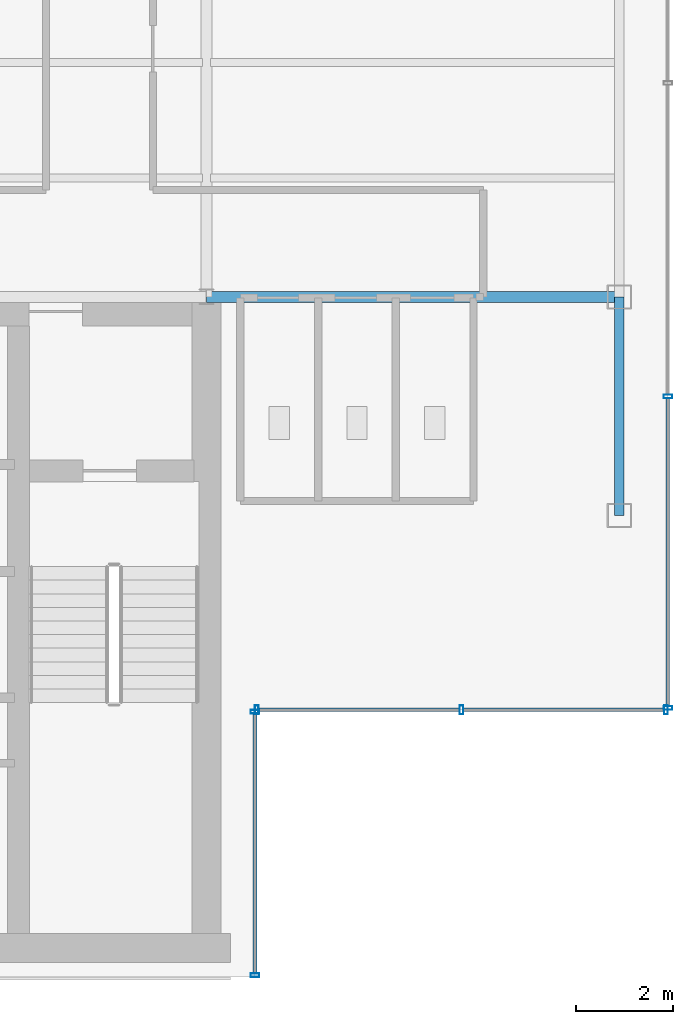
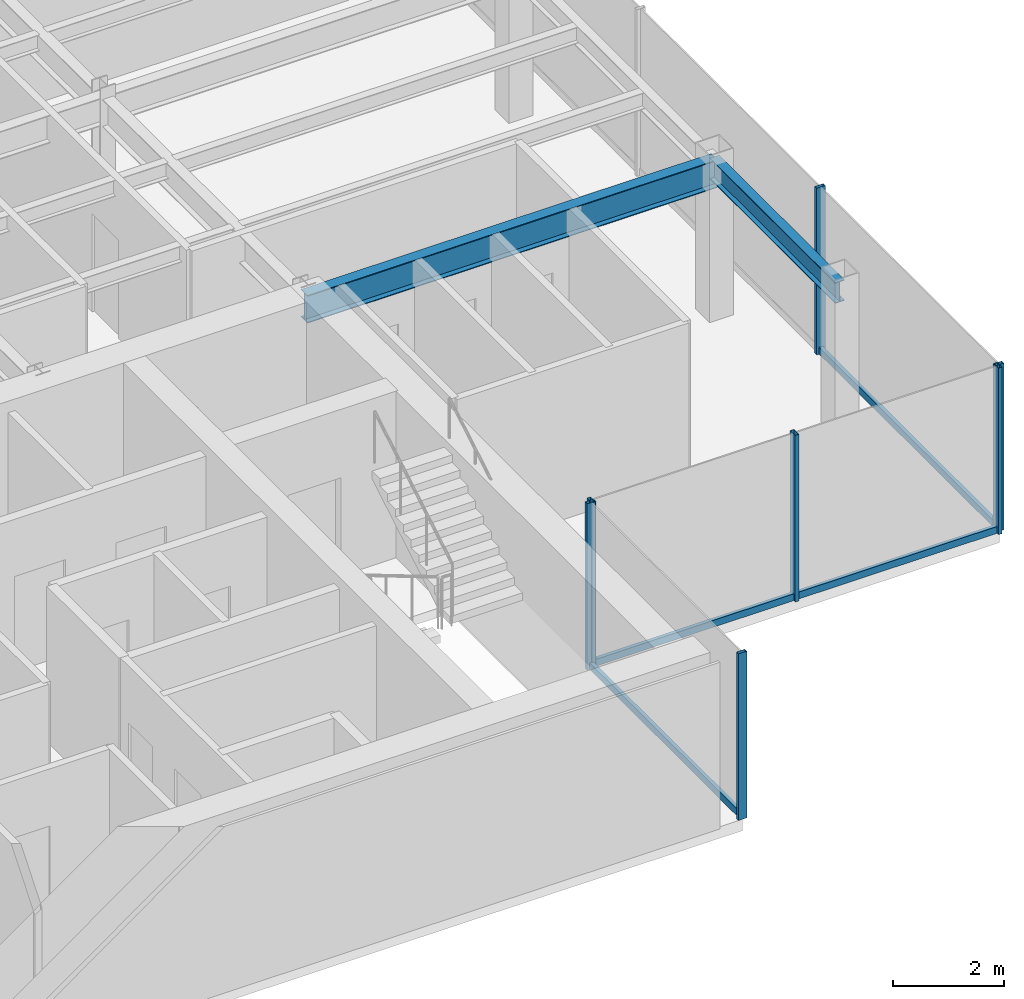
# One storey, part 9 of 22: 11 members, 2 beams, 3 elements without a shape of their own.
"""IFC4 building model written with IfcOpenShell, lengths in metres."""

from ifc_helpers import new_model, si_unit, derived_unit, direction, frame, origin, origin_2d, place, context, subcontext, project, spatial, hollow_rectangle, i_section, extrude, source, transform, mapped, material, material_profile, profile_set, type_object, element, aggregate, save


model = new_model("IFC4")

# Units and contexts
model_context = context("Model", 3, precision=1e-05, world=origin(), true_north=direction((0.0, 1.0)))
body_context = subcontext(model_context, "Body", "Model", "MODEL_VIEW")
ifc_project = project(units=[si_unit("LENGTHUNIT", "METRE"), si_unit("AREAUNIT", "SQUARE_METRE"), si_unit("VOLUMEUNIT", "CUBIC_METRE"), si_unit("PLANEANGLEUNIT", "RADIAN"), si_unit("MASSUNIT", "GRAM", prefix="KILO"), derived_unit("THERMALTRANSMITTANCEUNIT", [(si_unit("POWERUNIT", "WATT"), 1), (si_unit("LENGTHUNIT", "METRE"), -2), (si_unit("THERMODYNAMICTEMPERATUREUNIT", "KELVIN"), -1)])], contexts=[model_context])

# Site, building, storey
site_placement = place(None, origin())
site = spatial("IfcSite", under=ifc_project, at=site_placement, CompositionType="ELEMENT")
building_placement = place(site_placement, origin())
building = spatial("IfcBuilding", under=site, at=building_placement, Name="Skarnbrae Concourse Arena and Tower", CompositionType="ELEMENT")
storey_placement = place(building_placement, frame((0.0, 0.0, 199.550048828125)))
storey = spatial("IfcBuildingStorey", under=building, at=storey_placement, Name="L51", CompositionType="ELEMENT", Elevation=199.550048828125)

# Beams
ifc_material_1 = material(Name="Steel CSA G40.21 350W", Category="steel")
ifc_material_profile_1 = material_profile(ifc_material_1, i_section(OverallWidth=0.22802734375, OverallDepth=0.60791015625, WebThickness=0.01123046875, FlangeThickness=0.017333984375, at=origin_2d()), Name="W610X113")
ifc_profile_set_1 = profile_set([ifc_material_profile_1], Name="Steel CSA G40.21 350W")
beam_type_1 = type_object("IfcBeamType", Name="BM-GIRD-W610X113", PredefinedType="BEAM", material=ifc_profile_set_1)
shared_shape_1 = source(origin(), body_context, "Body", "SweptSolid", [
    extrude(i_section(OverallWidth=0.22802734375, OverallDepth=0.60791015625, WebThickness=0.01123046875, FlangeThickness=0.017333984375, at=origin_2d()), origin(), (0.0, 0.0, 1.0), 8.5),
])
beam_1_placement = place(storey_placement, frame((33.5, 14.0, 3.095947265625), z_axis=(1.0, 0.0, 0.0), x_axis=(0.0, 1.0, 0.0)))
element("IfcBeam", 1, at=beam_1_placement, inside=storey, type_object=beam_type_1, Name="L51 Primary E-W girder Y14.0-6", PredefinedType="BEAM", context=body_context, shape_type="MappedRepresentation", body=[
    mapped(shared_shape_1, transform((0.0, 0.0, 0.0))),
])
ifc_material_profile_2 = material_profile(ifc_material_1, i_section(OverallWidth=0.19091796875, OverallDepth=0.4599609375, WebThickness=0.010009765625, FlangeThickness=0.01611328125, at=origin_2d()), Name="W460X82")
ifc_profile_set_2 = profile_set([ifc_material_profile_2], Name="Steel CSA G40.21 350W")
beam_type_2 = type_object("IfcBeamType", Name="BM-SPAN-W460X82", PredefinedType="SPANDREL", material=ifc_profile_set_2)
shared_shape_2 = source(origin(), body_context, "Body", "SweptSolid", [
    extrude(i_section(OverallWidth=0.19091796875, OverallDepth=0.4599609375, WebThickness=0.010009765625, FlangeThickness=0.01611328125, at=origin_2d()), origin(), (0.0, 0.0, 1.0), 4.5),
])
beam_2_placement = place(storey_placement, frame((42.0, 9.5, 3.169921875), z_axis=(0.0, 1.0, 0.0), x_axis=(-1.0, 0.0, 0.0)))
element("IfcBeam", 2, at=beam_2_placement, inside=storey, type_object=beam_type_2, Name="L51 Perimeter spandrel X42.0-1", PredefinedType="SPANDREL", context=body_context, shape_type="MappedRepresentation", body=[
    mapped(shared_shape_2, transform((0.0, 0.0, 0.0))),
])

# Curtain wall, members
ifc_material_2 = material(Name="Bronze anodised aluminium 6063-T6", Category="aluminium")
curtain_wall_type = type_object("IfcCurtainWallType", Name="CW-SYS-05-HIGHZONE", PredefinedType="USERDEFINED", material=ifc_material_2)
curtain_wall_1_placement = place(storey_placement, origin())
curtain_wall_1 = element("IfcCurtainWall", 3, at=curtain_wall_1_placement, inside=storey, type_object=curtain_wall_type, Name="L51 Unitised curtain wall CW-L51-E02", ObjectType="UNITISED CURTAIN WALL", PredefinedType="USERDEFINED")
ifc_material_profile_3 = material_profile(ifc_material_2, hollow_rectangle(XDim=0.074951171875, YDim=0.179931640625, WallThickness=0.00390625, at=origin_2d()), Name="ALU-MULL-75X180")
ifc_profile_set_3 = profile_set([ifc_material_profile_3], Name="Bronze anodised aluminium 6063-T6")
member_type_1 = type_object("IfcMemberType", Name="CWM-CW-05", PredefinedType="MULLION", material=ifc_profile_set_3)
shared_shape_3 = source(origin(), body_context, "Body", "SweptSolid", [
    extrude(hollow_rectangle(XDim=0.074951171875, YDim=0.179931640625, WallThickness=0.00390625, at=origin_2d()), origin(), (0.0, 0.0, 1.0), 3.64990234375),
])
member_1_placement = place(storey_placement, frame((34.5, 0.03759765625, 0.0), z_axis=(0.0, 0.0, 1.0), x_axis=(0.0, 1.0, 0.0)))
member_1 = element("IfcMember", 4, at=member_1_placement, type_object=member_type_1, Name="CW-L51-E02 Mullion 1", PredefinedType="MULLION", context=body_context, shape_type="MappedRepresentation", body=[
    mapped(shared_shape_3, transform((0.0, 0.0, 0.0))),
])
member_2_placement = place(storey_placement, frame((34.5, 5.46240234375, 0.0), z_axis=(0.0, 0.0, 1.0), x_axis=(0.0, 1.0, 0.0)))
member_2 = element("IfcMember", 5, at=member_2_placement, type_object=member_type_1, Name="CW-L51-E02 Mullion 2", PredefinedType="MULLION", context=body_context, shape_type="MappedRepresentation", body=[
    mapped(shared_shape_3, transform((0.0, 0.0, 0.0))),
])

curtain_wall_2_placement = place(storey_placement, origin())
curtain_wall_2 = element("IfcCurtainWall", 6, at=curtain_wall_2_placement, inside=storey, type_object=curtain_wall_type, Name="L51 Unitised curtain wall CW-L51-E03", ObjectType="UNITISED CURTAIN WALL", PredefinedType="USERDEFINED")
member_3_placement = place(storey_placement, frame((34.53759765625, 5.5, 0.0), z_axis=(0.0, 0.0, 1.0), x_axis=(1.0, 0.0, 0.0)))
member_3 = element("IfcMember", 7, at=member_3_placement, type_object=member_type_1, Name="CW-L51-E03 Mullion 1", PredefinedType="MULLION", context=body_context, shape_type="MappedRepresentation", body=[
    mapped(shared_shape_3, transform((0.0, 0.0, 0.0))),
])
member_4_placement = place(storey_placement, frame((38.75, 5.5, 0.0), z_axis=(0.0, 0.0, 1.0), x_axis=(1.0, 0.0, 0.0)))
member_4 = element("IfcMember", 8, at=member_4_placement, type_object=member_type_1, Name="CW-L51-E03 Mullion 2", PredefinedType="MULLION", context=body_context, shape_type="MappedRepresentation", body=[
    mapped(shared_shape_3, transform((0.0, 0.0, 0.0))),
])
member_5_placement = place(storey_placement, frame((42.96240234375, 5.5, 0.0), z_axis=(0.0, 0.0, 1.0), x_axis=(1.0, 0.0, 0.0)))
member_5 = element("IfcMember", 9, at=member_5_placement, type_object=member_type_1, Name="CW-L51-E03 Mullion 3", PredefinedType="MULLION", context=body_context, shape_type="MappedRepresentation", body=[
    mapped(shared_shape_3, transform((0.0, 0.0, 0.0))),
])

curtain_wall_3_placement = place(storey_placement, origin())
curtain_wall_3 = element("IfcCurtainWall", 10, at=curtain_wall_3_placement, inside=storey, type_object=curtain_wall_type, Name="L51 Unitised curtain wall CW-L51-E04", ObjectType="UNITISED CURTAIN WALL", PredefinedType="USERDEFINED")
member_6_placement = place(storey_placement, frame((43.0, 5.53759765625, 0.0), z_axis=(0.0, 0.0, 1.0), x_axis=(0.0, 1.0, 0.0)))
member_6 = element("IfcMember", 11, at=member_6_placement, type_object=member_type_1, Name="CW-L51-E04 Mullion 1", PredefinedType="MULLION", context=body_context, shape_type="MappedRepresentation", body=[
    mapped(shared_shape_3, transform((0.0, 0.0, 0.0))),
])
member_7_placement = place(storey_placement, frame((43.0, 11.949951171875, 0.0), z_axis=(0.0, 0.0, 1.0), x_axis=(0.0, 1.0, 0.0)))
member_7 = element("IfcMember", 12, at=member_7_placement, type_object=member_type_1, Name="CW-L51-E04 Mullion 2", PredefinedType="MULLION", context=body_context, shape_type="MappedRepresentation", body=[
    mapped(shared_shape_3, transform((0.0, 0.0, 0.0))),
])

# Member
ifc_material_profile_4 = material_profile(ifc_material_2, hollow_rectangle(XDim=0.074951171875, YDim=0.14990234375, WallThickness=0.00390625, at=origin_2d()), Name="ALU-TRAN-75X150")
ifc_profile_set_4 = profile_set([ifc_material_profile_4], Name="Bronze anodised aluminium 6063-T6")
member_type_2 = type_object("IfcMemberType", Name="CWT-CW-05", PredefinedType="USERDEFINED", material=ifc_profile_set_4)
shared_shape_4 = source(origin(), body_context, "Body", "SweptSolid", [
    extrude(hollow_rectangle(XDim=0.074951171875, YDim=0.14990234375, WallThickness=0.00390625, at=origin_2d()), origin(), (0.0, 0.0, 1.0), 5.35009765625),
])
member_8_placement = place(storey_placement, frame((34.5, 0.074951171875, 0.074951171875), z_axis=(0.0, 1.0, 0.0), x_axis=(-1.0, 0.0, 0.0)))
member_8 = element("IfcMember", 13, at=member_8_placement, type_object=member_type_2, Name="CW-L51-E02 Transom 1", ObjectType="TRANSOM", PredefinedType="USERDEFINED", context=body_context, shape_type="MappedRepresentation", body=[
    mapped(shared_shape_4, transform((0.0, 0.0, 0.0))),
])

aggregate(curtain_wall_1, [member_1, member_2, member_8])

shared_shape_5 = source(origin(), body_context, "Body", "SweptSolid", [
    extrude(hollow_rectangle(XDim=0.074951171875, YDim=0.14990234375, WallThickness=0.00390625, at=origin_2d()), origin(), (0.0, 0.0, 1.0), 4.137451171875),
])
member_9_placement = place(storey_placement, frame((34.574951171875, 5.5, 0.074951171875), z_axis=(1.0, 0.0, 0.0), x_axis=(0.0, 1.0, 0.0)))
member_9 = element("IfcMember", 14, at=member_9_placement, type_object=member_type_2, Name="CW-L51-E03 Transom 1", ObjectType="TRANSOM", PredefinedType="USERDEFINED", context=body_context, shape_type="MappedRepresentation", body=[
    mapped(shared_shape_5, transform((0.0, 0.0, 0.0))),
])

member_10_placement = place(storey_placement, frame((38.78759765625, 5.5, 0.074951171875), z_axis=(1.0, 0.0, 0.0), x_axis=(0.0, 1.0, 0.0)))
member_10 = element("IfcMember", 15, at=member_10_placement, type_object=member_type_2, Name="CW-L51-E03 Transom 2", ObjectType="TRANSOM", PredefinedType="USERDEFINED", context=body_context, shape_type="MappedRepresentation", body=[
    mapped(shared_shape_5, transform((0.0, 0.0, 0.0))),
])

aggregate(curtain_wall_2, [member_3, member_4, member_5, member_9, member_10])

shared_shape_6 = source(origin(), body_context, "Body", "SweptSolid", [
    extrude(hollow_rectangle(XDim=0.074951171875, YDim=0.14990234375, WallThickness=0.00390625, at=origin_2d()), origin(), (0.0, 0.0, 1.0), 6.337646484375),
])
member_11_placement = place(storey_placement, frame((43.0, 5.574951171875, 0.074951171875), z_axis=(0.0, 1.0, 0.0), x_axis=(-1.0, 0.0, 0.0)))
member_11 = element("IfcMember", 16, at=member_11_placement, type_object=member_type_2, Name="CW-L51-E04 Transom 1", ObjectType="TRANSOM", PredefinedType="USERDEFINED", context=body_context, shape_type="MappedRepresentation", body=[
    mapped(shared_shape_6, transform((0.0, 0.0, 0.0))),
])

aggregate(curtain_wall_3, [member_6, member_7, member_11])

save(model, "model.ifc")
